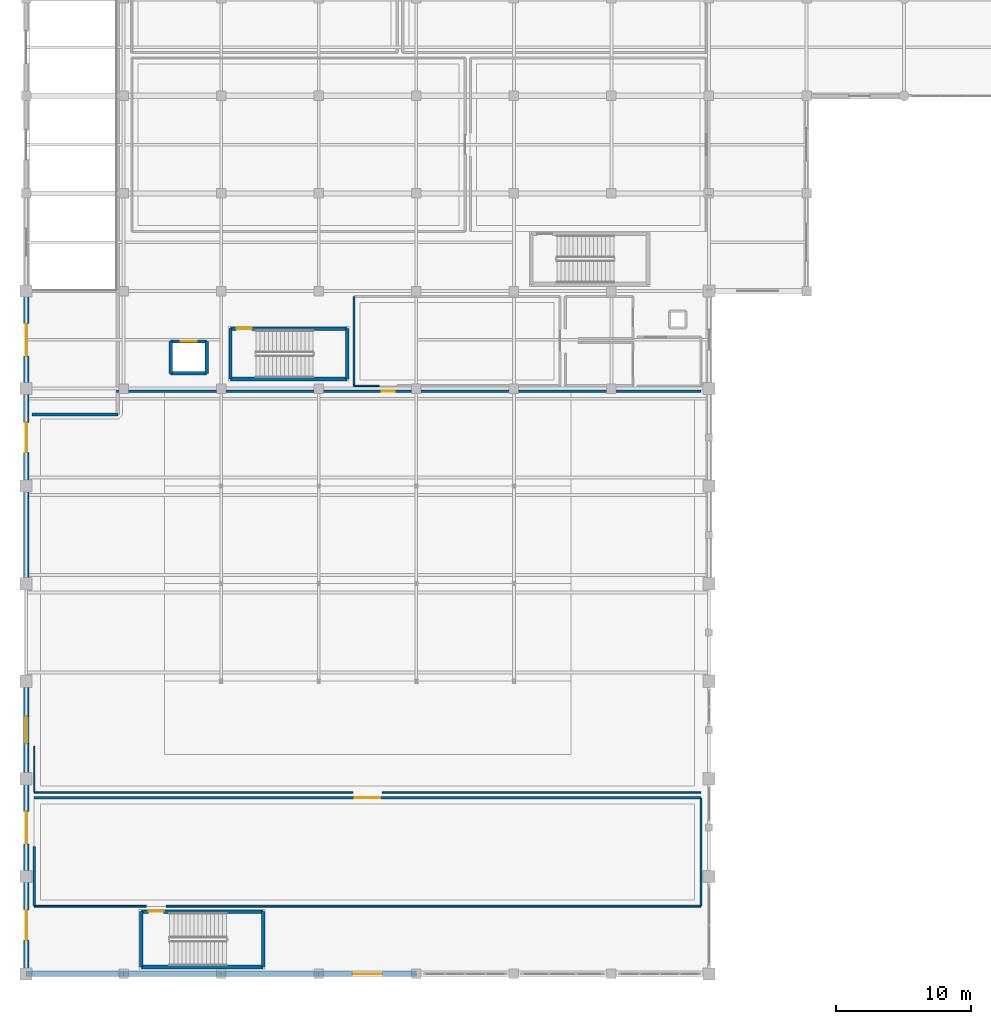
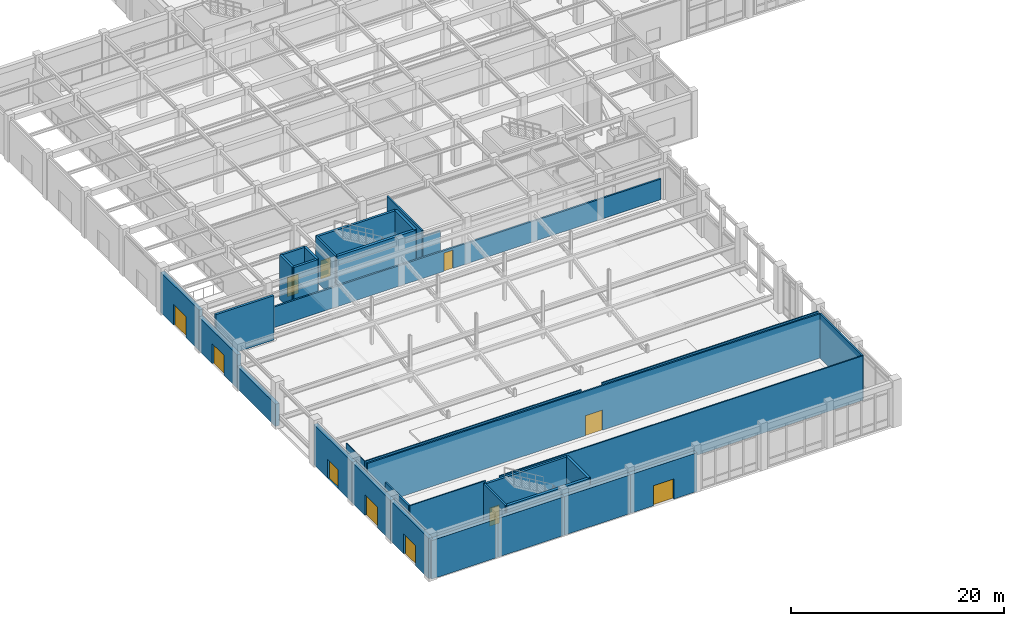
# One storey, part 72 of 102: 34 walls, 11 doors, 11 openings.
"""IFC4 building model written with IfcOpenShell, lengths in metres."""

from ifc_helpers import new_model, si_unit, direction, frame, frame_2d, origin, place, context, subcontext, project, spatial, rectangle, extrude, material, layer, layer_set, type_object, element, fill, save


model = new_model("IFC4")

# Units and contexts
model_context = context("Model", 3, precision=1e-05, world=origin(), true_north=direction((0.0, 1.0)))
body_context = subcontext(model_context, "Body", "Model", "MODEL_VIEW")
ifc_project = project(units=[si_unit("LENGTHUNIT", "METRE"), si_unit("AREAUNIT", "SQUARE_METRE"), si_unit("VOLUMEUNIT", "CUBIC_METRE"), si_unit("PLANEANGLEUNIT", "RADIAN"), si_unit("MASSUNIT", "GRAM", prefix="KILO")], contexts=[model_context])

# Site, building, storey
site_placement = place(None, origin())
site = spatial("IfcSite", under=ifc_project, at=site_placement, CompositionType="ELEMENT")
building_placement = place(site_placement, origin())
building = spatial("IfcBuilding", under=site, at=building_placement, Name="Carrowvane Square Congress Hotel", CompositionType="ELEMENT")
storey_placement = place(building_placement, origin())
storey = spatial("IfcBuildingStorey", under=building, at=storey_placement, Name="L00", CompositionType="ELEMENT", Elevation=0.0)

# Wall, opening, door
ifc_material_1 = material(Name="Portland limestone cladding", Category="masonry")
ifc_layer_1 = layer(ifc_material_1, 0.419921875)
ifc_layer_set_1 = layer_set([ifc_layer_1], Name="Portland limestone cladding")
wall_type_1 = type_object("IfcWallType", Name="WL-EXT-LS420", PredefinedType="STANDARD", material=ifc_layer_set_1)
wall_1_placement = place(storey_placement, frame((11.60009765625, 5.39990234375, 0.0), z_axis=(0.0, 0.0, 1.0), x_axis=(0.0, 1.0, 0.0)))
wall_1 = element("IfcWall", 1, at=wall_1_placement, inside=storey, type_object=wall_type_1, Name="L00 exterior facade wall 133", PredefinedType="STANDARD", context=body_context, shape_type="SweptSolid", body=[
    extrude(rectangle(XDim=7.2001953125, YDim=0.419921875, at=frame_2d((3.60009765625, 0.0))), origin(), (0.0, 0.0, 1.0), 4.625),
])
opening_1_placement = place(wall_1_placement, frame((2.5, 0.0, 0.0)))
opening_1 = element("IfcOpeningElement", 2, at=opening_1_placement, cuts=wall_1, Name="Opening ED-2", PredefinedType="OPENING", context=body_context, shape_type="SweptSolid", body=[
    extrude(rectangle(XDim=2.199951171875, YDim=2.300048828125, at=frame_2d((1.10009765625, 1.14990234375))), frame((0.0, 0.219970703125, 0.0), z_axis=(0.0, -1.0, 0.0), x_axis=(1.0, 0.0, 0.0)), (0.0, 0.0, 1.0), 0.43994140625),
])
ifc_material_2 = material(Name="Anodised aluminium", Category="aluminium")
door_type_1 = type_object("IfcDoorType", Name="DR-EXIT-2200", OperationType="DOUBLE_DOOR_SINGLE_SWING", PredefinedType="DOOR", material=ifc_material_2)
door_1_placement = place(opening_1_placement, origin())
door_1 = element("IfcDoor", 3, at=door_1_placement, inside=storey, type_object=door_type_1, Name="L00 final exit door ED-01", OperationType="DOUBLE_DOOR_SINGLE_SWING", OverallHeight=2.300048828125, OverallWidth=2.199951171875, PredefinedType="DOOR", context=body_context, shape_type="SweptSolid", body=[
    extrude(rectangle(XDim=2.199951171875, YDim=2.300048828125, at=frame_2d((1.10009765625, 1.14990234375))), frame((0.0, 0.02490234375, 0.0), z_axis=(0.0, -1.0, 0.0), x_axis=(1.0, 0.0, 0.0)), (0.0, 0.0, 1.0), 0.050048828125),
])
fill(opening_1, door_1)

wall_2_placement = place(storey_placement, frame((11.60009765625, 12.60009765625, 0.0), z_axis=(0.0, 0.0, 1.0), x_axis=(0.0, 1.0, 0.0)))
wall_2 = element("IfcWall", 4, at=wall_2_placement, inside=storey, type_object=wall_type_1, Name="L00 exterior facade wall 134", PredefinedType="STANDARD", context=body_context, shape_type="SweptSolid", body=[
    extrude(rectangle(XDim=7.199951171875, YDim=0.419921875, at=frame_2d((3.60009765625, 0.0))), origin(), (0.0, 0.0, 1.0), 4.625),
])
opening_2_placement = place(wall_2_placement, frame((2.39990234375, 0.0, 0.0)))
opening_2 = element("IfcOpeningElement", 5, at=opening_2_placement, cuts=wall_2, Name="Opening ED-3", PredefinedType="OPENING", context=body_context, shape_type="SweptSolid", body=[
    extrude(rectangle(XDim=2.39990234375, YDim=2.39990234375, at=frame_2d((1.199951171875, 1.199951171875))), frame((0.0, 0.219970703125, 0.0), z_axis=(0.0, -1.0, 0.0), x_axis=(1.0, 0.0, 0.0)), (0.0, 0.0, 1.0), 0.43994140625),
])
ifc_material_3 = material(Name="Anodised aluminium", Category="aluminium")
door_type_2 = type_object("IfcDoorType", Name="DR-EXIT-2400", OperationType="DOUBLE_DOOR_SINGLE_SWING", PredefinedType="DOOR", material=ifc_material_3)
door_2_placement = place(opening_2_placement, origin())
door_2 = element("IfcDoor", 6, at=door_2_placement, inside=storey, type_object=door_type_2, Name="L00 final exit door ED-02", OperationType="DOUBLE_DOOR_SINGLE_SWING", OverallHeight=2.39990234375, OverallWidth=2.39990234375, PredefinedType="DOOR", context=body_context, shape_type="SweptSolid", body=[
    extrude(rectangle(XDim=2.39990234375, YDim=2.39990234375, at=frame_2d((1.199951171875, 1.199951171875))), frame((0.0, 0.02490234375, 0.0), z_axis=(0.0, -1.0, 0.0), x_axis=(1.0, 0.0, 0.0)), (0.0, 0.0, 1.0), 0.050048828125),
])
fill(opening_2, door_2)

wall_3_placement = place(storey_placement, frame((11.60009765625, 19.800048828125, 0.0), z_axis=(0.0, 0.0, 1.0), x_axis=(0.0, 1.0, 0.0)))
wall_3 = element("IfcWall", 7, at=wall_3_placement, inside=storey, type_object=wall_type_1, Name="L00 exterior facade wall 135", PredefinedType="STANDARD", context=body_context, shape_type="SweptSolid", body=[
    extrude(rectangle(XDim=7.199951171875, YDim=0.419921875, at=frame_2d((3.60009765625, 0.0))), origin(), (0.0, 0.0, 1.0), 4.625),
])
opening_3_placement = place(wall_3_placement, frame((2.60009765625, 0.0, 0.0)))
opening_3 = element("IfcOpeningElement", 8, at=opening_3_placement, cuts=wall_3, Name="Opening ED-1", PredefinedType="OPENING", context=body_context, shape_type="SweptSolid", body=[
    extrude(rectangle(XDim=2.0, YDim=2.199951171875, at=frame_2d((1.0, 1.10009765625))), frame((0.0, 0.219970703125, 0.0), z_axis=(0.0, -1.0, 0.0), x_axis=(1.0, 0.0, 0.0)), (0.0, 0.0, 1.0), 0.43994140625),
])
ifc_material_4 = material(Name="Anodised aluminium", Category="aluminium")
door_type_3 = type_object("IfcDoorType", Name="DR-EXIT-2000", OperationType="DOUBLE_DOOR_SINGLE_SWING", PredefinedType="DOOR", material=ifc_material_4)
door_3_placement = place(opening_3_placement, origin())
door_3 = element("IfcDoor", 9, at=door_3_placement, inside=storey, type_object=door_type_3, Name="L00 final exit door ED-03", OperationType="DOUBLE_DOOR_SINGLE_SWING", OverallHeight=2.199951171875, OverallWidth=2.0, PredefinedType="DOOR", context=body_context, shape_type="SweptSolid", body=[
    extrude(rectangle(XDim=2.0, YDim=2.199951171875, at=frame_2d((1.0, 1.10009765625))), frame((0.0, 0.02490234375, 0.0), z_axis=(0.0, -1.0, 0.0), x_axis=(1.0, 0.0, 0.0)), (0.0, 0.0, 1.0), 0.050048828125),
])
fill(opening_3, door_3)

# Wall
wall_4_placement = place(storey_placement, frame((11.60009765625, 34.199951171875, 0.0), z_axis=(0.0, 0.0, 1.0), x_axis=(0.0, 1.0, 0.0)))
element("IfcWall", 10, at=wall_4_placement, inside=storey, type_object=wall_type_1, Name="L00 exterior facade wall 136", PredefinedType="STANDARD", context=body_context, shape_type="SweptSolid", body=[
    extrude(rectangle(XDim=7.199951171875, YDim=0.419921875, at=frame_2d((3.60009765625, 0.0))), origin(), (0.0, 0.0, 1.0), 2.54833984375),
])

# Wall, opening, door
wall_5_placement = place(storey_placement, frame((11.60009765625, 41.39990234375, 0.0), z_axis=(0.0, 0.0, 1.0), x_axis=(0.0, 1.0, 0.0)))
wall_5 = element("IfcWall", 11, at=wall_5_placement, inside=storey, type_object=wall_type_1, Name="L00 exterior facade wall 137", PredefinedType="STANDARD", context=body_context, shape_type="SweptSolid", body=[
    extrude(rectangle(XDim=7.2001953125, YDim=0.419921875, at=frame_2d((3.60009765625, 0.0))), origin(), (0.0, 0.0, 1.0), 3.848388671875),
])
opening_4_placement = place(wall_5_placement, frame((2.5, 0.0, 0.0)))
opening_4 = element("IfcOpeningElement", 12, at=opening_4_placement, cuts=wall_5, Name="Opening ED-2", PredefinedType="OPENING", context=body_context, shape_type="SweptSolid", body=[
    extrude(rectangle(XDim=2.199951171875, YDim=2.300048828125, at=frame_2d((1.10009765625, 1.14990234375))), frame((0.0, 0.219970703125, 0.0), z_axis=(0.0, -1.0, 0.0), x_axis=(1.0, 0.0, 0.0)), (0.0, 0.0, 1.0), 0.43994140625),
])
door_4_placement = place(opening_4_placement, origin())
door_4 = element("IfcDoor", 13, at=door_4_placement, inside=storey, type_object=door_type_1, Name="L00 final exit door ED-04", OperationType="DOUBLE_DOOR_SINGLE_SWING", OverallHeight=2.300048828125, OverallWidth=2.199951171875, PredefinedType="DOOR", context=body_context, shape_type="SweptSolid", body=[
    extrude(rectangle(XDim=2.199951171875, YDim=2.300048828125, at=frame_2d((1.10009765625, 1.14990234375))), frame((0.0, 0.02490234375, 0.0), z_axis=(0.0, -1.0, 0.0), x_axis=(1.0, 0.0, 0.0)), (0.0, 0.0, 1.0), 0.050048828125),
])
fill(opening_4, door_4)

wall_6_placement = place(storey_placement, frame((11.60009765625, 48.60009765625, 0.0), z_axis=(0.0, 0.0, 1.0), x_axis=(0.0, 1.0, 0.0)))
wall_6 = element("IfcWall", 14, at=wall_6_placement, inside=storey, type_object=wall_type_1, Name="L00 exterior facade wall 138", PredefinedType="STANDARD", context=body_context, shape_type="SweptSolid", body=[
    extrude(rectangle(XDim=7.199951171875, YDim=0.419921875, at=frame_2d((3.60009765625, 0.0))), origin(), (0.0, 0.0, 1.0), 4.625),
])
opening_5_placement = place(wall_6_placement, frame((2.39990234375, 0.0, 0.0)))
opening_5 = element("IfcOpeningElement", 15, at=opening_5_placement, cuts=wall_6, Name="Opening ED-3", PredefinedType="OPENING", context=body_context, shape_type="SweptSolid", body=[
    extrude(rectangle(XDim=2.39990234375, YDim=2.39990234375, at=frame_2d((1.199951171875, 1.199951171875))), frame((0.0, 0.219970703125, 0.0), z_axis=(0.0, -1.0, 0.0), x_axis=(1.0, 0.0, 0.0)), (0.0, 0.0, 1.0), 0.43994140625),
])
door_5_placement = place(opening_5_placement, origin())
door_5 = element("IfcDoor", 16, at=door_5_placement, inside=storey, type_object=door_type_2, Name="L00 final exit door ED-05", OperationType="DOUBLE_DOOR_SINGLE_SWING", OverallHeight=2.39990234375, OverallWidth=2.39990234375, PredefinedType="DOOR", context=body_context, shape_type="SweptSolid", body=[
    extrude(rectangle(XDim=2.39990234375, YDim=2.39990234375, at=frame_2d((1.199951171875, 1.199951171875))), frame((0.0, 0.02490234375, 0.0), z_axis=(0.0, -1.0, 0.0), x_axis=(1.0, 0.0, 0.0)), (0.0, 0.0, 1.0), 0.050048828125),
])
fill(opening_5, door_5)

wall_7_placement = place(storey_placement, frame((40.39990234375, 5.39990234375, 0.0), z_axis=(0.0, 0.0, 1.0), x_axis=(-1.0, 0.0, 0.0)))
wall_7 = element("IfcWall", 17, at=wall_7_placement, inside=storey, type_object=wall_type_1, Name="L00 exterior facade wall 197", PredefinedType="STANDARD", context=body_context, shape_type="SweptSolid", body=[
    extrude(rectangle(XDim=7.199951171875, YDim=0.419921875, at=frame_2d((3.60009765625, 0.0))), origin(), (0.0, 0.0, 1.0), 4.43505859375),
])
opening_6_placement = place(wall_7_placement, frame((2.5, 0.0, 0.0)))
opening_6 = element("IfcOpeningElement", 18, at=opening_6_placement, cuts=wall_7, Name="Opening ED-2", PredefinedType="OPENING", context=body_context, shape_type="SweptSolid", body=[
    extrude(rectangle(XDim=2.199951171875, YDim=2.300048828125, at=frame_2d((1.10009765625, 1.14990234375))), frame((0.0, 0.219970703125, 0.0), z_axis=(0.0, -1.0, 0.0), x_axis=(1.0, 0.0, 0.0)), (0.0, 0.0, 1.0), 0.43994140625),
])
door_6_placement = place(opening_6_placement, origin())
door_6 = element("IfcDoor", 19, at=door_6_placement, inside=storey, type_object=door_type_1, Name="L00 final exit door ED-22", OperationType="DOUBLE_DOOR_SINGLE_SWING", OverallHeight=2.300048828125, OverallWidth=2.199951171875, PredefinedType="DOOR", context=body_context, shape_type="SweptSolid", body=[
    extrude(rectangle(XDim=2.199951171875, YDim=2.300048828125, at=frame_2d((1.10009765625, 1.14990234375))), frame((0.0, 0.02490234375, 0.0), z_axis=(0.0, -1.0, 0.0), x_axis=(1.0, 0.0, 0.0)), (0.0, 0.0, 1.0), 0.050048828125),
])
fill(opening_6, door_6)

# Walls
for number, where, z_axis, x_axis, name in (
    (20, (33.199951171875, 5.39990234375, 0.0), (0.0, 0.0, 1.0), (-1.0, 0.0, 0.0), "L00 exterior facade wall 198"),
    (21, (26.0, 5.39990234375, 0.0), (0.0, 0.0, 1.0), (-1.0, 0.0, 0.0), "L00 exterior facade wall 199"),
    (22, (18.800048828125, 5.39990234375, 0.0), (0.0, 0.0, 1.0), (-1.0, 0.0, 0.0), "L00 exterior facade wall 200"),
):
    element("IfcWall", number, at=place(storey_placement, frame(where, z_axis=z_axis, x_axis=x_axis)), inside=storey, type_object=wall_type_1, Name=name, PredefinedType="STANDARD", context=body_context, shape_type="SweptSolid", body=[
        extrude(rectangle(XDim=7.199951171875, YDim=0.419921875, at=frame_2d((3.60009765625, 0.0))), origin(), (0.0, 0.0, 1.0), 4.43505859375),
    ])

# Wall, opening, door
ifc_material_5 = material(Name="Acoustic gypsum board", Category="gypsum")
ifc_layer_2 = layer(ifc_material_5, 0.155029296875)
ifc_layer_set_2 = layer_set([ifc_layer_2], Name="Acoustic gypsum board")
wall_type_2 = type_object("IfcWallType", Name="WL-FIR-155", PredefinedType="PARTITIONING", material=ifc_layer_set_2)
wall_8_placement = place(storey_placement, frame((12.199951171875, 18.39990234375, 0.0), z_axis=(0.0, 0.0, 1.0), x_axis=(1.0, 0.0, 0.0)))
wall_8 = element("IfcWall", 23, at=wall_8_placement, inside=storey, type_object=wall_type_2, Name="L00 Plenary Congress Stage and Wing partition", PredefinedType="PARTITIONING", context=body_context, shape_type="SweptSolid", body=[
    extrude(rectangle(XDim=49.199951171875, YDim=0.155029296875, at=frame_2d((24.60009765625, 0.0))), origin(), (0.0, 0.0, 1.0), 5.10009765625),
])
opening_7_placement = place(wall_8_placement, frame((23.675048828125, 0.0, 0.0)))
opening_7 = element("IfcOpeningElement", 24, at=opening_7_placement, cuts=wall_8, Name="Opening ID-13", PredefinedType="OPENING", context=body_context, shape_type="SweptSolid", body=[
    extrude(rectangle(XDim=1.85009765625, YDim=2.300048828125, at=frame_2d((0.925048828125, 1.14990234375))), frame((0.0, 0.08740234375, 0.0), z_axis=(0.0, -1.0, 0.0), x_axis=(1.0, 0.0, 0.0)), (0.0, 0.0, 1.0), 0.175048828125),
])
ifc_material_6 = material(Name="European oak timber", Category="wood")
door_type_4 = type_object("IfcDoorType", Name="DR-INT-1850x2300", OperationType="DOUBLE_DOOR_SINGLE_SWING", PredefinedType="DOOR", material=ifc_material_6)
door_7_placement = place(opening_7_placement, origin())
door_7 = element("IfcDoor", 25, at=door_7_placement, inside=storey, type_object=door_type_4, Name="L00 Plenary Congress Stage and Wing entrance door", OperationType="DOUBLE_DOOR_SINGLE_SWING", OverallHeight=2.300048828125, OverallWidth=1.85009765625, PredefinedType="DOOR", context=body_context, shape_type="SweptSolid", body=[
    extrude(rectangle(XDim=1.85009765625, YDim=2.300048828125, at=frame_2d((0.925048828125, 1.14990234375))), frame((0.0, 0.02490234375, 0.0), z_axis=(0.0, -1.0, 0.0), x_axis=(1.0, 0.0, 0.0)), (0.0, 0.0, 1.0), 0.050048828125),
])
fill(opening_7, door_7)

# Walls
ifc_material_7 = material(Name="Acoustic gypsum board", Category="gypsum")
ifc_layer_3 = layer(ifc_material_7, 0.169921875)
ifc_layer_set_3 = layer_set([ifc_layer_3], Name="Acoustic gypsum board")
wall_type_3 = type_object("IfcWallType", Name="WL-FIR-170", PredefinedType="PARTITIONING", material=ifc_layer_set_3)
wall_9_placement = place(storey_placement, frame((12.199951171875, 10.39990234375, 0.0), z_axis=(0.0, 0.0, 1.0), x_axis=(0.0, 1.0, 0.0)))
element("IfcWall", 26, at=wall_9_placement, inside=storey, type_object=wall_type_3, Name="L00 Plenary Congress Stage and Wing partition", PredefinedType="PARTITIONING", context=body_context, shape_type="SweptSolid", body=[
    extrude(rectangle(XDim=4.420166015625, YDim=0.169921875, at=frame_2d((2.2099609375, 0.0))), origin(), (0.0, 0.0, 1.0), 5.10009765625),
])
wall_10_placement = place(storey_placement, frame((35.800048828125, 48.800048828125, 0.0), z_axis=(0.0, 0.0, 1.0), x_axis=(0.0, 1.0, 0.0)))
element("IfcWall", 27, at=wall_10_placement, inside=storey, type_object=wall_type_3, Name="L00 Congress Registration Concourse partition", PredefinedType="PARTITIONING", context=body_context, shape_type="SweptSolid", body=[
    extrude(rectangle(XDim=6.599853515625, YDim=0.169921875, at=frame_2d((3.2998046875, 0.0))), origin(), (0.0, 0.0, 1.0), 5.10009765625),
])

# Wall, opening, door
ifc_material_8 = material(Name="Acoustic gypsum board", Category="gypsum")
ifc_layer_4 = layer(ifc_material_8, 0.18505859375)
ifc_layer_set_4 = layer_set([ifc_layer_4], Name="Acoustic gypsum board")
wall_type_4 = type_object("IfcWallType", Name="WL-FIR-185", PredefinedType="PARTITIONING", material=ifc_layer_set_4)
wall_11_placement = place(storey_placement, frame((18.260009765625, 48.39990234375, 0.0), z_axis=(0.0, 0.0, 1.0), x_axis=(1.0, 0.0, 0.0)))
wall_11 = element("IfcWall", 28, at=wall_11_placement, inside=storey, type_object=wall_type_4, Name="L00 Plenary Congress Auditorium Stalls partition", PredefinedType="PARTITIONING", context=body_context, shape_type="SweptSolid", body=[
    extrude(rectangle(XDim=43.139892578125, YDim=0.18505859375, at=frame_2d((21.56982421875, 0.0))), origin(), (0.0, 0.0, 1.0), 2.36669921875),
])
opening_8_placement = place(wall_11_placement, frame((19.594970703125, 0.0, 0.0)))
opening_8 = element("IfcOpeningElement", 29, at=opening_8_placement, cuts=wall_11, Name="Opening FD-06", PredefinedType="OPENING", context=body_context, shape_type="SweptSolid", body=[
    extrude(rectangle(XDim=0.949951171875, YDim=2.10009765625, at=frame_2d((0.47509765625, 1.050048828125))), frame((0.0, 0.1025390625, 0.0), z_axis=(0.0, -1.0, 0.0), x_axis=(1.0, 0.0, 0.0)), (0.0, 0.0, 1.0), 0.205078125),
])
ifc_material_9 = material(Name="European oak timber", Category="wood")
door_type_5 = type_object("IfcDoorType", Name="DR-FD30-0950x2100", OperationType="NOTDEFINED", PredefinedType="DOOR", material=ifc_material_9)
door_8_placement = place(opening_8_placement, origin())
door_8 = element("IfcDoor", 30, at=door_8_placement, inside=storey, type_object=door_type_5, Name="L00 Plenary Congress Auditorium Stalls entrance door", OperationType="SINGLE_SWING_LEFT", OverallHeight=2.10009765625, OverallWidth=0.949951171875, PredefinedType="DOOR", context=body_context, shape_type="SweptSolid", body=[
    extrude(rectangle(XDim=0.949951171875, YDim=2.10009765625, at=frame_2d((0.47509765625, 1.050048828125))), frame((0.0, 0.02490234375, 0.0), z_axis=(0.0, -1.0, 0.0), x_axis=(1.0, 0.0, 0.0)), (0.0, 0.0, 1.0), 0.050048828125),
])
fill(opening_8, door_8)

# Walls
ifc_material_10 = material(Name="Portland limestone cladding", Category="masonry")
ifc_layer_5 = layer(ifc_material_10, 0.239990234375)
ifc_layer_set_5 = layer_set([ifc_layer_5], Name="Portland limestone cladding")
wall_type_5 = type_object("IfcWallType", Name="WL-PAR-240", PredefinedType="PARAPET", material=ifc_layer_set_5)
wall_12_placement = place(storey_placement, frame((12.050048828125, 46.679931640625, 0.0), z_axis=(0.0, 0.0, 1.0), x_axis=(1.0, 0.0, 0.0)))
element("IfcWall", 31, at=wall_12_placement, inside=storey, type_object=wall_type_5, Name="L00 ramp shaft enclosure wall 2", PredefinedType="PARAPET", context=body_context, shape_type="SweptSolid", body=[
    extrude(rectangle(XDim=6.320068359375, YDim=0.239990234375, at=frame_2d((3.16015625, 0.0))), origin(), (0.0, 0.0, 1.0), 5.10009765625),
])
ifc_material_11 = material(Name="Acoustic gypsum board", Category="gypsum")
ifc_layer_6 = layer(ifc_material_11, 0.097900390625)
ifc_layer_set_6 = layer_set([ifc_layer_6], Name="Acoustic gypsum board")
wall_type_6 = type_object("IfcWallType", Name="WL-PRT-098", PredefinedType="PARTITIONING", material=ifc_layer_set_6)
wall_13_placement = place(storey_placement, frame((12.199951171875, 18.800048828125, 0.0), z_axis=(0.0, 0.0, 1.0), x_axis=(0.0, 1.0, 0.0)))
element("IfcWall", 32, at=wall_13_placement, inside=storey, type_object=wall_type_6, Name="L00 Plenary Congress Auditorium Stalls partition", PredefinedType="PARTITIONING", context=body_context, shape_type="SweptSolid", body=[
    extrude(rectangle(XDim=3.419921875, YDim=0.097900390625, at=frame_2d((1.7099609375, 0.0))), origin(), (0.0, 0.0, 1.0), 5.10009765625),
])
ifc_material_12 = material(Name="Acoustic gypsum board", Category="gypsum")
ifc_layer_7 = layer(ifc_material_12, 0.10791015625)
ifc_layer_set_7 = layer_set([ifc_layer_7], Name="Acoustic gypsum board")
wall_type_7 = type_object("IfcWallType", Name="WL-PRT-108", PredefinedType="PARTITIONING", material=ifc_layer_set_7)
wall_14_placement = place(storey_placement, frame((35.695068359375, 18.800048828125, 0.0), z_axis=(0.0, 0.0, 1.0), x_axis=(-1.0, 0.0, 0.0)))
element("IfcWall", 33, at=wall_14_placement, inside=storey, type_object=wall_type_7, Name="L00 Plenary Congress Auditorium Stalls partition", PredefinedType="PARTITIONING", context=body_context, shape_type="SweptSolid", body=[
    extrude(rectangle(XDim=23.4951171875, YDim=0.10791015625, at=frame_2d((11.74755859375, 0.0))), origin(), (0.0, 0.0, 1.0), 5.10009765625),
])
ifc_material_13 = material(Name="Acoustic gypsum board", Category="gypsum")
ifc_layer_8 = layer(ifc_material_13, 0.117919921875)
ifc_layer_set_8 = layer_set([ifc_layer_8], Name="Acoustic gypsum board")
wall_type_8 = type_object("IfcWallType", Name="WL-PRT-118", PredefinedType="PARTITIONING", material=ifc_layer_set_8)
wall_15_placement = place(storey_placement, frame((61.39990234375, 18.800048828125, 0.0), z_axis=(0.0, 0.0, 1.0), x_axis=(-1.0, 0.0, 0.0)))
element("IfcWall", 34, at=wall_15_placement, inside=storey, type_object=wall_type_8, Name="L00 Plenary Congress Auditorium Stalls partition", PredefinedType="PARTITIONING", context=body_context, shape_type="SweptSolid", body=[
    extrude(rectangle(XDim=23.494873046875, YDim=0.117919921875, at=frame_2d((11.74755859375, 0.0))), origin(), (0.0, 0.0, 1.0), 5.10009765625),
])
ifc_material_14 = material(Name="Acoustic gypsum board", Category="gypsum")
ifc_layer_9 = layer(ifc_material_14, 0.1279296875)
ifc_layer_set_9 = layer_set([ifc_layer_9], Name="Acoustic gypsum board")
wall_type_9 = type_object("IfcWallType", Name="WL-PRT-128", PredefinedType="PARTITIONING", material=ifc_layer_set_9)
wall_16_placement = place(storey_placement, frame((20.469970703125, 10.39990234375, 0.0), z_axis=(0.0, 0.0, 1.0), x_axis=(-1.0, 0.0, 0.0)))
element("IfcWall", 35, at=wall_16_placement, inside=storey, type_object=wall_type_9, Name="L00 Plenary Congress Stage and Wing partition", PredefinedType="PARTITIONING", context=body_context, shape_type="SweptSolid", body=[
    extrude(rectangle(XDim=8.27001953125, YDim=0.1279296875, at=frame_2d((4.135009765625, 0.0))), origin(), (0.0, 0.0, 1.0), 5.10009765625),
])
wall_17_placement = place(storey_placement, frame((37.675048828125, 48.800048828125, 0.0), z_axis=(0.0, 0.0, 1.0), x_axis=(-1.0, 0.0, 0.0)))
element("IfcWall", 36, at=wall_17_placement, inside=storey, type_object=wall_type_9, Name="L00 Congress Registration Concourse partition", PredefinedType="PARTITIONING", context=body_context, shape_type="SweptSolid", body=[
    extrude(rectangle(XDim=1.875, YDim=0.1279296875, at=frame_2d((0.9375, 0.0))), origin(), (0.0, 0.0, 1.0), 4.472900390625),
])
ifc_material_15 = material(Name="Acoustic gypsum board", Category="gypsum")
ifc_layer_10 = layer(ifc_material_15, 0.137939453125)
ifc_layer_set_10 = layer_set([ifc_layer_10], Name="Acoustic gypsum board")
wall_type_10 = type_object("IfcWallType", Name="WL-PRT-138", PredefinedType="PARTITIONING", material=ifc_layer_set_10)
wall_18_placement = place(storey_placement, frame((61.39990234375, 10.39990234375, 0.0), z_axis=(0.0, 0.0, 1.0), x_axis=(-1.0, 0.0, 0.0)))
element("IfcWall", 37, at=wall_18_placement, inside=storey, type_object=wall_type_10, Name="L00 Plenary Congress Stage and Wing partition", PredefinedType="PARTITIONING", context=body_context, shape_type="SweptSolid", body=[
    extrude(rectangle(XDim=39.469970703125, YDim=0.137939453125, at=frame_2d((19.73486328125, 0.0))), origin(), (0.0, 0.0, 1.0), 5.10009765625),
])
ifc_material_16 = material(Name="Acoustic gypsum board", Category="gypsum")
ifc_layer_11 = layer(ifc_material_16, 0.14794921875)
ifc_layer_set_11 = layer_set([ifc_layer_11], Name="Acoustic gypsum board")
wall_type_11 = type_object("IfcWallType", Name="WL-PRT-148", PredefinedType="PARTITIONING", material=ifc_layer_set_11)
wall_19_placement = place(storey_placement, frame((61.39990234375, 18.39990234375, 0.0), z_axis=(0.0, 0.0, 1.0), x_axis=(0.0, -1.0, 0.0)))
element("IfcWall", 38, at=wall_19_placement, inside=storey, type_object=wall_type_11, Name="L00 Plenary Congress Stage and Wing partition", PredefinedType="PARTITIONING", context=body_context, shape_type="SweptSolid", body=[
    extrude(rectangle(XDim=8.0, YDim=0.14794921875, at=frame_2d((4.0, 0.0))), origin(), (0.0, 0.0, 1.0), 5.10009765625),
])
ifc_material_17 = material(Name="Concrete C40/50", Category="concrete")
ifc_layer_12 = layer(ifc_material_17, 0.22509765625)
ifc_layer_set_12 = layer_set([ifc_layer_12], Name="Concrete C40/50")
wall_type_12 = type_object("IfcWallType", Name="WL-SHR-225", PredefinedType="SHEAR", material=ifc_layer_set_12)
wall_20_placement = place(storey_placement, frame((26.699951171875, 53.02001953125, 0.0), z_axis=(0.0, 0.0, 1.0), x_axis=(0.0, -1.0, 0.0)))
element("IfcWall", 39, at=wall_20_placement, inside=storey, type_object=wall_type_12, Name="L00 ST6 core wall west", PredefinedType="SHEAR", context=body_context, shape_type="SweptSolid", body=[
    extrude(rectangle(XDim=3.719970703125, YDim=0.22509765625, at=frame_2d((1.85986328125, 0.0))), origin(), (0.0, 0.0, 1.0), 5.10009765625),
])
wall_21_placement = place(storey_placement, frame((20.10009765625, 10.0, 0.0), z_axis=(0.0, 0.0, 1.0), x_axis=(0.0, -1.0, 0.0)))
element("IfcWall", 40, at=wall_21_placement, inside=storey, type_object=wall_type_12, Name="L00 ST9 core wall west", PredefinedType="SHEAR", context=body_context, shape_type="SweptSolid", body=[
    extrude(rectangle(XDim=4.10009765625, YDim=0.22509765625, at=frame_2d((2.050048828125, 0.0))), origin(), (0.0, 0.0, 1.0), 5.10009765625),
])

# Wall, opening, door
ifc_material_18 = material(Name="Concrete C40/50", Category="concrete")
ifc_layer_13 = layer(ifc_material_18, 0.25)
ifc_layer_set_13 = layer_set([ifc_layer_13], Name="Concrete C40/50")
wall_type_13 = type_object("IfcWallType", Name="WL-SHR-250", PredefinedType="SHEAR", material=ifc_layer_set_13)
wall_22_placement = place(storey_placement, frame((35.300048828125, 53.02001953125, 0.0), z_axis=(0.0, 0.0, 1.0), x_axis=(-1.0, 0.0, 0.0)))
wall_22 = element("IfcWall", 41, at=wall_22_placement, inside=storey, type_object=wall_type_13, Name="L00 ST6 core wall north", PredefinedType="SHEAR", context=body_context, shape_type="SweptSolid", body=[
    extrude(rectangle(XDim=8.60009765625, YDim=0.25, at=frame_2d((4.300048828125, 0.0))), origin(), (0.0, 0.0, 1.0), 5.10009765625),
])
opening_9_placement = place(wall_22_placement, frame((7.06005859375, 0.0, 0.0)))
opening_9 = element("IfcOpeningElement", 42, at=opening_9_placement, cuts=wall_22, Name="Opening FD-01", PredefinedType="OPENING", context=body_context, shape_type="SweptSolid", body=[
    extrude(rectangle(XDim=1.10009765625, YDim=2.10009765625, at=frame_2d((0.550048828125, 1.050048828125))), frame((0.0, 0.135009765625, 0.0), z_axis=(0.0, -1.0, 0.0), x_axis=(1.0, 0.0, 0.0)), (0.0, 0.0, 1.0), 0.27001953125),
])
ifc_material_19 = material(Name="European oak timber", Category="wood")
door_type_6 = type_object("IfcDoorType", Name="DR-FD60-1100x2100", OperationType="NOTDEFINED", PredefinedType="DOOR", material=ifc_material_19)
door_9_placement = place(opening_9_placement, origin())
door_9 = element("IfcDoor", 43, at=door_9_placement, inside=storey, type_object=door_type_6, Name="L00 ST6 fire door", OperationType="SINGLE_SWING_LEFT", OverallHeight=2.10009765625, OverallWidth=1.10009765625, PredefinedType="DOOR", context=body_context, shape_type="SweptSolid", body=[
    extrude(rectangle(XDim=1.10009765625, YDim=2.10009765625, at=frame_2d((0.550048828125, 1.050048828125))), frame((0.0, 0.02490234375, 0.0), z_axis=(0.0, -1.0, 0.0), x_axis=(1.0, 0.0, 0.0)), (0.0, 0.0, 1.0), 0.050048828125),
])
fill(opening_9, door_9)

wall_23_placement = place(storey_placement, frame((29.10009765625, 10.0, 0.0), z_axis=(0.0, 0.0, 1.0), x_axis=(-1.0, 0.0, 0.0)))
wall_23 = element("IfcWall", 44, at=wall_23_placement, inside=storey, type_object=wall_type_13, Name="L00 ST9 core wall north", PredefinedType="SHEAR", context=body_context, shape_type="SweptSolid", body=[
    extrude(rectangle(XDim=9.0, YDim=0.25, at=frame_2d((4.5, 0.0))), origin(), (0.0, 0.0, 1.0), 5.10009765625),
])
opening_10_placement = place(wall_23_placement, frame((7.35009765625, 0.0, 0.0)))
opening_10 = element("IfcOpeningElement", 45, at=opening_10_placement, cuts=wall_23, Name="Opening FD-01", PredefinedType="OPENING", context=body_context, shape_type="SweptSolid", body=[
    extrude(rectangle(XDim=1.10009765625, YDim=2.10009765625, at=frame_2d((0.550048828125, 1.050048828125))), frame((0.0, 0.135009765625, 0.0), z_axis=(0.0, -1.0, 0.0), x_axis=(1.0, 0.0, 0.0)), (0.0, 0.0, 1.0), 0.27001953125),
])
door_10_placement = place(opening_10_placement, origin())
door_10 = element("IfcDoor", 46, at=door_10_placement, inside=storey, type_object=door_type_6, Name="L00 ST9 fire door", OperationType="SINGLE_SWING_RIGHT", OverallHeight=2.10009765625, OverallWidth=1.10009765625, PredefinedType="DOOR", context=body_context, shape_type="SweptSolid", body=[
    extrude(rectangle(XDim=1.10009765625, YDim=2.10009765625, at=frame_2d((0.550048828125, 1.050048828125))), frame((0.0, 0.02490234375, 0.0), z_axis=(0.0, -1.0, 0.0), x_axis=(1.0, 0.0, 0.0)), (0.0, 0.0, 1.0), 0.050048828125),
])
fill(opening_10, door_10)

# Walls
wall_24_placement = place(storey_placement, frame((22.27490234375, 49.72509765625, 0.0), z_axis=(0.0, 0.0, 1.0), x_axis=(1.0, 0.0, 0.0)))
element("IfcWall", 47, at=wall_24_placement, inside=storey, type_object=wall_type_13, Name="L00 CL-1 shaft wall south", PredefinedType="SHEAR", context=body_context, shape_type="SweptSolid", body=[
    extrude(rectangle(XDim=2.650146484375, YDim=0.25, at=frame_2d((1.3251953125, 0.0))), origin(), (0.0, 0.0, 1.0), 5.10009765625),
])
wall_25_placement = place(storey_placement, frame((24.925048828125, 49.72509765625, 0.0), z_axis=(0.0, 0.0, 1.0), x_axis=(0.0, 1.0, 0.0)))
element("IfcWall", 48, at=wall_25_placement, inside=storey, type_object=wall_type_13, Name="L00 CL-1 shaft wall east", PredefinedType="SHEAR", context=body_context, shape_type="SweptSolid", body=[
    extrude(rectangle(XDim=2.349853515625, YDim=0.25, at=frame_2d((1.1748046875, 0.0))), origin(), (0.0, 0.0, 1.0), 5.10009765625),
])

# Wall, opening, door
wall_26_placement = place(storey_placement, frame((24.925048828125, 52.074951171875, 0.0), z_axis=(0.0, 0.0, 1.0), x_axis=(-1.0, 0.0, 0.0)))
wall_26 = element("IfcWall", 49, at=wall_26_placement, inside=storey, type_object=wall_type_13, Name="L00 CL-1 shaft wall north", PredefinedType="SHEAR", context=body_context, shape_type="SweptSolid", body=[
    extrude(rectangle(XDim=2.650146484375, YDim=0.25, at=frame_2d((1.3251953125, 0.0))), origin(), (0.0, 0.0, 1.0), 5.10009765625),
])
opening_11_placement = place(wall_26_placement, frame((0.72509765625, 0.0, 0.0)))
opening_11 = element("IfcOpeningElement", 50, at=opening_11_placement, cuts=wall_26, Name="Opening LD-CL-1", PredefinedType="OPENING", context=body_context, shape_type="SweptSolid", body=[
    extrude(rectangle(XDim=1.199951171875, YDim=2.199951171875, at=frame_2d((0.60009765625, 1.10009765625))), frame((0.0, 0.135009765625, 0.0), z_axis=(0.0, -1.0, 0.0), x_axis=(1.0, 0.0, 0.0)), (0.0, 0.0, 1.0), 0.27001953125),
])
ifc_material_20 = material(Name="Stainless steel 316", Category="steel")
door_type_7 = type_object("IfcDoorType", Name="DR-LD-1200x2200", OperationType="DOUBLE_DOOR_SLIDING", PredefinedType="DOOR", material=ifc_material_20)
door_11_placement = place(opening_11_placement, origin())
door_11 = element("IfcDoor", 51, at=door_11_placement, inside=storey, type_object=door_type_7, Name="L00 CL-1 sliding lift landing door", OperationType="DOUBLE_DOOR_SLIDING", OverallHeight=2.199951171875, OverallWidth=1.199951171875, PredefinedType="DOOR", context=body_context, shape_type="SweptSolid", body=[
    extrude(rectangle(XDim=1.199951171875, YDim=2.199951171875, at=frame_2d((0.60009765625, 1.10009765625))), frame((0.0, 0.02490234375, 0.0), z_axis=(0.0, -1.0, 0.0), x_axis=(1.0, 0.0, 0.0)), (0.0, 0.0, 1.0), 0.050048828125),
])
fill(opening_11, door_11)

# Walls
wall_27_placement = place(storey_placement, frame((22.27490234375, 52.074951171875, 0.0), z_axis=(0.0, 0.0, 1.0), x_axis=(0.0, -1.0, 0.0)))
element("IfcWall", 52, at=wall_27_placement, inside=storey, type_object=wall_type_13, Name="L00 CL-1 shaft wall west", PredefinedType="SHEAR", context=body_context, shape_type="SweptSolid", body=[
    extrude(rectangle(XDim=2.349853515625, YDim=0.25, at=frame_2d((1.1748046875, 0.0))), origin(), (0.0, 0.0, 1.0), 5.10009765625),
])
ifc_material_21 = material(Name="Concrete C40/50", Category="concrete")
ifc_layer_14 = layer(ifc_material_21, 0.27490234375)
ifc_layer_set_14 = layer_set([ifc_layer_14], Name="Concrete C40/50")
wall_type_14 = type_object("IfcWallType", Name="WL-SHR-275", PredefinedType="SHEAR", material=ifc_layer_set_14)
wall_28_placement = place(storey_placement, frame((35.300048828125, 49.300048828125, 0.0), z_axis=(0.0, 0.0, 1.0), x_axis=(0.0, 1.0, 0.0)))
element("IfcWall", 53, at=wall_28_placement, inside=storey, type_object=wall_type_14, Name="L00 ST6 core wall east", PredefinedType="SHEAR", context=body_context, shape_type="SweptSolid", body=[
    extrude(rectangle(XDim=3.719970703125, YDim=0.27490234375, at=frame_2d((1.85986328125, 0.0))), origin(), (0.0, 0.0, 1.0), 5.10009765625),
])
wall_29_placement = place(storey_placement, frame((29.10009765625, 5.89990234375, 0.0), z_axis=(0.0, 0.0, 1.0), x_axis=(0.0, 1.0, 0.0)))
element("IfcWall", 54, at=wall_29_placement, inside=storey, type_object=wall_type_14, Name="L00 ST9 core wall east", PredefinedType="SHEAR", context=body_context, shape_type="SweptSolid", body=[
    extrude(rectangle(XDim=4.10009765625, YDim=0.27490234375, at=frame_2d((2.050048828125, 0.0))), origin(), (0.0, 0.0, 1.0), 5.10009765625),
])
ifc_material_22 = material(Name="Concrete C40/50", Category="concrete")
ifc_layer_15 = layer(ifc_material_22, 0.300048828125)
ifc_layer_set_15 = layer_set([ifc_layer_15], Name="Concrete C40/50")
wall_type_15 = type_object("IfcWallType", Name="WL-SHR-300", PredefinedType="SHEAR", material=ifc_layer_set_15)
wall_30_placement = place(storey_placement, frame((26.699951171875, 49.300048828125, 0.0), z_axis=(0.0, 0.0, 1.0), x_axis=(1.0, 0.0, 0.0)))
element("IfcWall", 55, at=wall_30_placement, inside=storey, type_object=wall_type_15, Name="L00 ST6 core wall south", PredefinedType="SHEAR", context=body_context, shape_type="SweptSolid", body=[
    extrude(rectangle(XDim=8.60009765625, YDim=0.300048828125, at=frame_2d((4.300048828125, 0.0))), origin(), (0.0, 0.0, 1.0), 5.10009765625),
])
wall_31_placement = place(storey_placement, frame((20.10009765625, 5.89990234375, 0.0), z_axis=(0.0, 0.0, 1.0), x_axis=(1.0, 0.0, 0.0)))
element("IfcWall", 56, at=wall_31_placement, inside=storey, type_object=wall_type_15, Name="L00 ST9 core wall south", PredefinedType="SHEAR", context=body_context, shape_type="SweptSolid", body=[
    extrude(rectangle(XDim=9.0, YDim=0.300048828125, at=frame_2d((4.5, 0.0))), origin(), (0.0, 0.0, 1.0), 5.10009765625),
])

save(model, "model.ifc")
